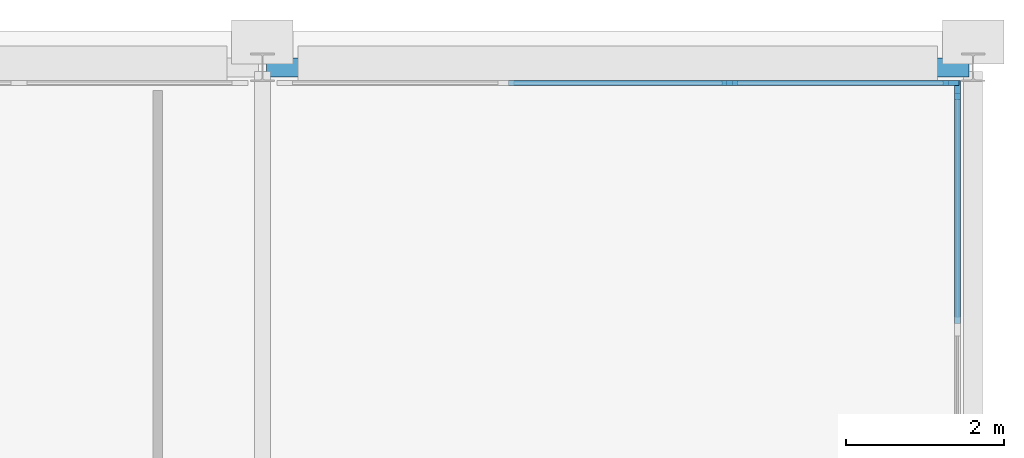
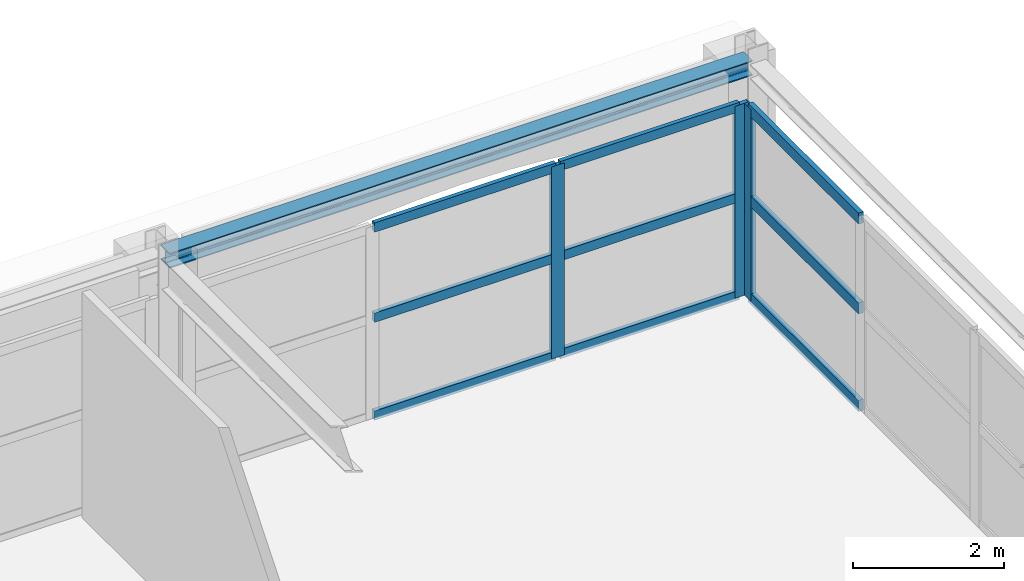
# One storey, part 16 of 25: 12 members, 1 beam, 2 elements without a shape of their own.
"""IFC4 building model written with IfcOpenShell, lengths in metres."""

import ifcopenshell
import ifcopenshell.guid

model = None  # the IFC model being written
_history = None  # IfcOwnerHistory: only IFC2X3 demands one
_inside = {}  # id of a spatial element -> (the spatial element, [elements in it])
_under = {}  # id of a project, library or spatial element -> (it, [spatial elements below it])
_declared = {}  # id of a project -> (the project, [libraries it declares])
_typed = {}  # id of a type object -> (the type object, [elements of that type])
_made_of = {}  # id of a material, layer set ... -> (it, [elements and type objects made of it])


def new_model(schema):
    """Start an empty IFC model of exactly this schema.

    Asked for "IFC4X3", IfcOpenShell would pick the latest addendum, in which some entities
    have other attributes; the version numbers below select the first issue.
    IFC2X3 requires an IfcOwnerHistory on every rooted entity: one is made here for all.
    """
    global model, _history
    if schema == "IFC4X3":
        model = ifcopenshell.file(schema_version=(4, 3, 0, 0))
    else:
        model = ifcopenshell.file(schema=schema)
    _inside.clear()
    _under.clear()
    _declared.clear()
    _typed.clear()
    _made_of.clear()
    _history = None
    if model.schema == "IFC2X3":
        org = make("IfcOrganization", Name="unknown")
        user = make(
            "IfcPersonAndOrganization",
            ThePerson=make("IfcPerson", FamilyName="unknown"),
            TheOrganization=org,
        )
        app = make(
            "IfcApplication",
            ApplicationDeveloper=org,
            Version="unknown",
            ApplicationFullName="unknown",
            ApplicationIdentifier="unknown",
        )
        _history = make(
            "IfcOwnerHistory",
            OwningUser=user,
            OwningApplication=app,
            ChangeAction="ADDED",
            CreationDate=0,
        )
    return model


def make(cls, **values):
    """One entity of the class cls with the attributes given. An attribute that is None is left unset."""
    return model.create_entity(
        cls, **{name: value for name, value in values.items() if value is not None}
    )


def rooted(cls, **values):
    """An entity with a GlobalId (a new one), such as an element, a storey or a relation."""
    return make(cls, GlobalId=ifcopenshell.guid.new(), OwnerHistory=_history, **values)


def si_unit(unit_type, name, prefix=None):
    """IfcSIUnit, for example si_unit("LENGTHUNIT", "METRE", prefix="MILLI")."""
    return make("IfcSIUnit", UnitType=unit_type, Prefix=prefix, Name=name)


def assignment(units):
    """IfcUnitAssignment: the units of a project."""
    return None if units is None else make("IfcUnitAssignment", Units=units)


def point(xyz):
    """IfcCartesianPoint."""
    return None if xyz is None else make("IfcCartesianPoint", Coordinates=xyz)


def direction(xyz):
    """IfcDirection."""
    return None if xyz is None else make("IfcDirection", DirectionRatios=xyz)


def frame(location, z_axis=None, x_axis=None):
    """IfcAxis2Placement3D, a coordinate frame: its origin and axes. An axis left out is left unset."""
    return make(
        "IfcAxis2Placement3D",
        Location=point(location),
        Axis=direction(z_axis),
        RefDirection=direction(x_axis),
    )


def frame_2d(location, x_axis=None):
    """IfcAxis2Placement2D, a coordinate frame in the plane: its origin and x axis."""
    return make(
        "IfcAxis2Placement2D", Location=point(location), RefDirection=direction(x_axis)
    )


def origin():
    """The frame at (0, 0, 0) with its axes left unset."""
    return frame((0.0, 0.0, 0.0))


def origin_2d():
    """The frame at (0, 0) in the plane with its x axis left unset."""
    return frame_2d((0.0, 0.0))


def place(relative_to, where):
    """IfcLocalPlacement: puts the frame where relative to a parent placement (None: the world)."""
    return make(
        "IfcLocalPlacement", PlacementRelTo=relative_to, RelativePlacement=where
    )


def context(
    kind, dimensions, precision=None, world=None, true_north=None, identifier=None
):
    """IfcGeometricRepresentationContext, for example the 3D "Model" context."""
    return make(
        "IfcGeometricRepresentationContext",
        ContextIdentifier=identifier,
        ContextType=kind,
        CoordinateSpaceDimension=dimensions,
        Precision=precision,
        WorldCoordinateSystem=world,
        TrueNorth=true_north,
    )


def subcontext(parent, identifier, kind, view, scale=None):
    """IfcGeometricRepresentationSubContext, for example "Body" below "Model"."""
    return make(
        "IfcGeometricRepresentationSubContext",
        ContextIdentifier=identifier,
        ContextType=kind,
        ParentContext=parent,
        TargetScale=scale,
        TargetView=view,
    )


def project(units=None, contexts=None):
    """IfcProject with its units and contexts."""
    return rooted(
        "IfcProject",
        Name="project",
        RepresentationContexts=contexts,
        UnitsInContext=assignment(units),
    )


def spatial(cls, under=None, at=None, **own):
    """A site, building, storey or space (cls), placed at a placement, below another one or the project."""
    s = rooted(cls, ObjectPlacement=at, **own)
    if under is not None:
        _under.setdefault(under.id(), (under, []))[1].append(s)
    return s


def profile(cls, at=None, kind="AREA", **sizes):
    """A parametric profile (cls). Its sizes go by their IFC names, for example OverallWidth=200.0."""
    return make(cls, ProfileType=kind, Position=at, **sizes)


def rectangle(**sizes):
    """IfcRectangleProfileDef."""
    return profile("IfcRectangleProfileDef", **sizes)


def i_section(**sizes):
    """IfcIShapeProfileDef."""
    return profile("IfcIShapeProfileDef", **sizes)


def extrude(swept, where, along, depth):
    """IfcExtrudedAreaSolid: the profile swept, set in the frame where, extruded along a direction by depth."""
    return make(
        "IfcExtrudedAreaSolid",
        SweptArea=swept,
        Position=where,
        ExtrudedDirection=direction(along),
        Depth=depth,
    )


def shape(context_of_items, identifier, shape_type, items):
    """IfcShapeRepresentation: the items that make up one representation, for example the "Body"."""
    return make(
        "IfcShapeRepresentation",
        ContextOfItems=context_of_items,
        RepresentationIdentifier=identifier,
        RepresentationType=shape_type,
        Items=items,
    )


def material(Name=None, Category=None):
    """IfcMaterial."""
    return make("IfcMaterial", Name=Name, Category=Category)


def layer(
    of_material, thickness, ventilated=None, Name=None, Category=None, Priority=None
):
    """IfcMaterialLayer: one layer of a wall or slab, of a material (None: an air gap)."""
    return make(
        "IfcMaterialLayer",
        Material=of_material,
        LayerThickness=thickness,
        IsVentilated=ventilated,
        Name=Name,
        Category=Category,
        Priority=Priority,
    )


def layer_set(layers, Name=None):
    """IfcMaterialLayerSet."""
    return make("IfcMaterialLayerSet", MaterialLayers=layers, LayerSetName=Name)


def material_profile(
    of_material, cross_section, Name=None, Category=None, Priority=None
):
    """IfcMaterialProfile: a cross section and its material."""
    return make(
        "IfcMaterialProfile",
        Name=Name,
        Material=of_material,
        Profile=cross_section,
        Priority=Priority,
        Category=Category,
    )


def profile_set(profiles, Name=None, composite=None):
    """IfcMaterialProfileSet."""
    return make(
        "IfcMaterialProfileSet",
        Name=Name,
        MaterialProfiles=profiles,
        CompositeProfile=composite,
    )


def made_of(thing, what):
    """Note that an element or type object is made of a material, layer set ...; save() writes the relation."""
    if what is not None:
        _made_of.setdefault(what.id(), (what, []))[1].append(thing)
    return thing


def type_object(cls, material=None, **own):
    """A type object (cls), such as IfcWallType, which elements share."""
    return made_of(rooted(cls, **own), material)


def element(
    cls,
    number,
    at=None,
    inside=None,
    cuts=None,
    type_object=None,
    material=None,
    context=None,
    identifier="Body",
    shape_type=None,
    held_by="IfcProductDefinitionShape",
    body=None,
    shapes=None,
    **own,
):
    """One element of the class cls, such as IfcWall. Its Tag is "e" and its number.

    at: its placement. inside: the storey or other place that contains it. cuts: it is an
    opening in that element (IfcRelVoidsElement). A single representation is given by context,
    identifier, shape_type and body (its items); several are given by shapes. held_by: the class
    of the entity that holds the representations. save() writes the other relations.
    """
    e = rooted(cls, Tag="e%d" % number, ObjectPlacement=at, **own)
    if body is not None:
        shapes = [shape(context, identifier, shape_type, body)]
    if shapes is not None:
        e.Representation = make(held_by, Representations=shapes)
    if inside is not None:
        _inside.setdefault(inside.id(), (inside, []))[1].append(e)
    if cuts is not None:
        rooted(
            "IfcRelVoidsElement", RelatingBuildingElement=cuts, RelatedOpeningElement=e
        )
    if type_object is not None:
        _typed.setdefault(type_object.id(), (type_object, []))[1].append(e)
    return made_of(e, material)


def aggregate(whole, parts):
    """IfcRelAggregates: a whole, such as a stair, and the parts it consists of."""
    return rooted("IfcRelAggregates", RelatingObject=whole, RelatedObjects=parts)


def save(model, path):
    """Write the relations noted so far, then the file.

    IfcRelAggregates (storeys below a building ...), IfcRelContainedInSpatialStructure (elements
    in a storey), IfcRelDefinesByType, IfcRelAssociatesMaterial and IfcRelDeclares: one each for
    every whole, place, type object, material and project.
    """
    for whole, parts in _under.values():
        aggregate(whole, parts)
    for where, things in _inside.values():
        rooted(
            "IfcRelContainedInSpatialStructure",
            RelatedElements=things,
            RelatingStructure=where,
        )
    for kind, things in _typed.values():
        rooted("IfcRelDefinesByType", RelatedObjects=things, RelatingType=kind)
    for what, things in _made_of.values():
        rooted("IfcRelAssociatesMaterial", RelatedObjects=things, RelatingMaterial=what)
    for by, libraries in _declared.values():
        rooted("IfcRelDeclares", RelatingContext=by, RelatedDefinitions=libraries)
    model.write(path)


model = new_model("IFC4")

# Units and contexts
model_context = context("Model", 3, precision=1e-05, world=origin(), true_north=direction((0.0, 1.0)))
body_context = subcontext(model_context, "Body", "Model", "MODEL_VIEW")
ifc_project = project(units=[si_unit("LENGTHUNIT", "METRE"), si_unit("AREAUNIT", "SQUARE_METRE"), si_unit("VOLUMEUNIT", "CUBIC_METRE"), si_unit("PLANEANGLEUNIT", "RADIAN"), si_unit("MASSUNIT", "GRAM", prefix="KILO")], contexts=[model_context])

# Site, building, storey
site_placement = place(None, origin())
site = spatial("IfcSite", under=ifc_project, at=site_placement, CompositionType="ELEMENT")
building_placement = place(site_placement, origin())
building = spatial("IfcBuilding", under=site, at=building_placement, Name="Myrtia Square Station", CompositionType="ELEMENT")
storey_placement = place(building_placement, frame((0.0, 0.0, 18.89990234375)))
storey = spatial("IfcBuildingStorey", under=building, at=storey_placement, Name="L04", CompositionType="ELEMENT", Elevation=18.89990234375)

# Curtain wall, members
ifc_material_1 = material(Name="Dark bronze anodised aluminium", Category="aluminium")
ifc_layer_1 = layer(ifc_material_1, 0.159912109375, Name="Dark bronze anodised aluminium")
ifc_layer_set_1 = layer_set([ifc_layer_1], Name="Dark bronze anodised aluminium")
curtain_wall_type_1 = type_object("IfcCurtainWallType", Name="CW-TYPE-42-850x310", PredefinedType="USERDEFINED", material=ifc_layer_set_1)
curtain_wall_1_placement = place(storey_placement, origin())
curtain_wall_1 = element("IfcCurtainWall", 1, at=curtain_wall_1_placement, inside=storey, type_object=curtain_wall_type_1, Name="Concourse curtain wall CW-L04-149", ObjectType="CONCOURSE CURTAIN WALL", PredefinedType="USERDEFINED")
ifc_material_profile_1 = material_profile(ifc_material_1, rectangle(XDim=0.06494140625, YDim=0.199951171875, at=origin_2d()), Name="ALU-M 65x200")
ifc_profile_set_1 = profile_set([ifc_material_profile_1], Name="Dark bronze anodised aluminium")
member_type_1 = type_object("IfcMemberType", Name="CWM-65x200", PredefinedType="MULLION", material=ifc_profile_set_1)
member_1_placement = place(storey_placement, frame((185.916748046875, 124.60009765625, 0.0), z_axis=(0.0, 0.0, 1.0), x_axis=(0.0, 1.0, 0.0)))
member_1 = element("IfcMember", 2, at=member_1_placement, type_object=member_type_1, Name="CW-149 mullion 3", PredefinedType="MULLION", context=body_context, shape_type="SweptSolid", body=[
    extrude(rectangle(XDim=0.06494140625, YDim=0.199951171875, at=origin_2d()), origin(), (0.0, 0.0, 1.0), 3.10009765625),
])
member_2_placement = place(storey_placement, frame((188.717529296875, 124.60009765625, 0.0), z_axis=(0.0, 0.0, 1.0), x_axis=(0.0, 1.0, 0.0)))
member_2 = element("IfcMember", 3, at=member_2_placement, type_object=member_type_1, Name="CW-149 mullion 4", PredefinedType="MULLION", context=body_context, shape_type="SweptSolid", body=[
    extrude(rectangle(XDim=0.06494140625, YDim=0.199951171875, at=origin_2d()), origin(), (0.0, 0.0, 1.0), 3.10009765625),
])

# Curtain wall, member
ifc_layer_2 = layer(ifc_material_1, 0.159912109375, Name="Dark bronze anodised aluminium")
ifc_layer_set_2 = layer_set([ifc_layer_2], Name="Dark bronze anodised aluminium")
curtain_wall_type_2 = type_object("IfcCurtainWallType", Name="CW-TYPE-46-910x310", PredefinedType="USERDEFINED", material=ifc_layer_set_2)
curtain_wall_2_placement = place(storey_placement, origin())
curtain_wall_2 = element("IfcCurtainWall", 4, at=curtain_wall_2_placement, inside=storey, type_object=curtain_wall_type_2, Name="Concourse curtain wall CW-L04-154", ObjectType="CONCOURSE CURTAIN WALL", PredefinedType="USERDEFINED")
ifc_material_profile_2 = material_profile(ifc_material_1, rectangle(XDim=0.074951171875, YDim=0.239990234375, at=origin_2d()), Name="ALU-M 75x240")
ifc_profile_set_2 = profile_set([ifc_material_profile_2], Name="Dark bronze anodised aluminium")
member_type_2 = type_object("IfcMemberType", Name="CWM-75x240", PredefinedType="MULLION", material=ifc_profile_set_2)
member_3_placement = place(storey_placement, frame((188.800048828125, 124.512451171875, 0.0), z_axis=(0.0, 0.0, 1.0), x_axis=(-1.0, 0.0, 0.0)))
member_3 = element("IfcMember", 5, at=member_3_placement, type_object=member_type_2, Name="CW-154 mullion 4", PredefinedType="MULLION", context=body_context, shape_type="SweptSolid", body=[
    extrude(rectangle(XDim=0.074951171875, YDim=0.239990234375, at=origin_2d()), origin(), (0.0, 0.0, 1.0), 3.10009765625),
])

# Member
ifc_material_profile_3 = material_profile(ifc_material_1, rectangle(XDim=0.06494140625, YDim=0.14990234375, at=origin_2d()), Name="ALU-T 65x150")
ifc_profile_set_3 = profile_set([ifc_material_profile_3], Name="Dark bronze anodised aluminium")
member_type_3 = type_object("IfcMemberType", Name="CWT-65x150", PredefinedType="USERDEFINED", material=ifc_profile_set_3)
member_4_placement = place(storey_placement, frame((183.11572265625, 124.60009765625, 0.03271484375), z_axis=(1.0, 0.0, 0.0), x_axis=(0.0, 1.0, 0.0)))
member_4 = element("IfcMember", 6, at=member_4_placement, type_object=member_type_3, Name="CW-149 transom 2.1", ObjectType="TRANSOM", PredefinedType="USERDEFINED", context=body_context, shape_type="SweptSolid", body=[
    extrude(rectangle(XDim=0.06494140625, YDim=0.14990234375, at=origin_2d()), origin(), (0.0, 0.0, 1.0), 2.7685546875),
])

member_5_placement = place(storey_placement, frame((183.11572265625, 124.60009765625, 1.612060546875), z_axis=(1.0, 0.0, 0.0), x_axis=(0.0, 1.0, 0.0)))
member_5 = element("IfcMember", 7, at=member_5_placement, type_object=member_type_3, Name="CW-149 transom 2.2", ObjectType="TRANSOM", PredefinedType="USERDEFINED", context=body_context, shape_type="SweptSolid", body=[
    extrude(rectangle(XDim=0.06494140625, YDim=0.14990234375, at=origin_2d()), origin(), (0.0, 0.0, 1.0), 2.7685546875),
])

member_6_placement = place(storey_placement, frame((183.11572265625, 124.60009765625, 3.067626953125), z_axis=(1.0, 0.0, 0.0), x_axis=(0.0, 1.0, 0.0)))
member_6 = element("IfcMember", 8, at=member_6_placement, type_object=member_type_3, Name="CW-149 transom 2.3", ObjectType="TRANSOM", PredefinedType="USERDEFINED", context=body_context, shape_type="SweptSolid", body=[
    extrude(rectangle(XDim=0.06494140625, YDim=0.14990234375, at=origin_2d()), origin(), (0.0, 0.0, 1.0), 2.7685546875),
])

member_7_placement = place(storey_placement, frame((185.94921875, 124.60009765625, 0.03271484375), z_axis=(1.0, 0.0, 0.0), x_axis=(0.0, 1.0, 0.0)))
member_7 = element("IfcMember", 9, at=member_7_placement, type_object=member_type_3, Name="CW-149 transom 3.1", ObjectType="TRANSOM", PredefinedType="USERDEFINED", context=body_context, shape_type="SweptSolid", body=[
    extrude(rectangle(XDim=0.06494140625, YDim=0.14990234375, at=origin_2d()), origin(), (0.0, 0.0, 1.0), 2.73583984375),
])

member_8_placement = place(storey_placement, frame((185.94921875, 124.60009765625, 1.612060546875), z_axis=(1.0, 0.0, 0.0), x_axis=(0.0, 1.0, 0.0)))
member_8 = element("IfcMember", 10, at=member_8_placement, type_object=member_type_3, Name="CW-149 transom 3.2", ObjectType="TRANSOM", PredefinedType="USERDEFINED", context=body_context, shape_type="SweptSolid", body=[
    extrude(rectangle(XDim=0.06494140625, YDim=0.14990234375, at=origin_2d()), origin(), (0.0, 0.0, 1.0), 2.73583984375),
])

member_9_placement = place(storey_placement, frame((185.94921875, 124.60009765625, 3.067626953125), z_axis=(1.0, 0.0, 0.0), x_axis=(0.0, 1.0, 0.0)))
member_9 = element("IfcMember", 11, at=member_9_placement, type_object=member_type_3, Name="CW-149 transom 3.3", ObjectType="TRANSOM", PredefinedType="USERDEFINED", context=body_context, shape_type="SweptSolid", body=[
    extrude(rectangle(XDim=0.06494140625, YDim=0.14990234375, at=origin_2d()), origin(), (0.0, 0.0, 1.0), 2.73583984375),
])

aggregate(curtain_wall_1, [member_1, member_2, member_4, member_5, member_6, member_7, member_8, member_9])

ifc_material_profile_4 = material_profile(ifc_material_1, rectangle(XDim=0.074951171875, YDim=0.179931640625, at=origin_2d()), Name="ALU-T 75x180")
ifc_profile_set_4 = profile_set([ifc_material_profile_4], Name="Dark bronze anodised aluminium")
member_type_4 = type_object("IfcMemberType", Name="CWT-75x180", PredefinedType="USERDEFINED", material=ifc_profile_set_4)
member_10_placement = place(storey_placement, frame((188.800048828125, 121.55419921875, 0.03759765625), z_axis=(0.0, 1.0, 0.0), x_axis=(-1.0, 0.0, 0.0)))
member_10 = element("IfcMember", 12, at=member_10_placement, type_object=member_type_4, Name="CW-154 transom 3.1", ObjectType="TRANSOM", PredefinedType="USERDEFINED", context=body_context, shape_type="SweptSolid", body=[
    extrude(rectangle(XDim=0.074951171875, YDim=0.179931640625, at=origin_2d()), origin(), (0.0, 0.0, 1.0), 2.9208984375),
])

member_11_placement = place(storey_placement, frame((188.800048828125, 121.55419921875, 1.612060546875), z_axis=(0.0, 1.0, 0.0), x_axis=(-1.0, 0.0, 0.0)))
member_11 = element("IfcMember", 13, at=member_11_placement, type_object=member_type_4, Name="CW-154 transom 3.2", ObjectType="TRANSOM", PredefinedType="USERDEFINED", context=body_context, shape_type="SweptSolid", body=[
    extrude(rectangle(XDim=0.074951171875, YDim=0.179931640625, at=origin_2d()), origin(), (0.0, 0.0, 1.0), 2.9208984375),
])

member_12_placement = place(storey_placement, frame((188.800048828125, 121.55419921875, 3.0625), z_axis=(0.0, 1.0, 0.0), x_axis=(-1.0, 0.0, 0.0)))
member_12 = element("IfcMember", 14, at=member_12_placement, type_object=member_type_4, Name="CW-154 transom 3.3", ObjectType="TRANSOM", PredefinedType="USERDEFINED", context=body_context, shape_type="SweptSolid", body=[
    extrude(rectangle(XDim=0.074951171875, YDim=0.179931640625, at=origin_2d()), origin(), (0.0, 0.0, 1.0), 2.9208984375),
])

aggregate(curtain_wall_2, [member_3, member_10, member_11, member_12])

# Beam
ifc_material_2 = material(Name="Steel S355", Category="steel")
ifc_material_profile_5 = material_profile(ifc_material_2, i_section(OverallWidth=0.239990234375, OverallDepth=0.239990234375, WebThickness=0.010009765625, FlangeThickness=0.01708984375, FilletRadius=0.02099609375, at=origin_2d()), Name="HEB 240")
ifc_profile_set_5 = profile_set([ifc_material_profile_5], Name="Steel S355")
beam_type = type_object("IfcBeamType", Name="SPN-HEB240", PredefinedType="SPANDREL", material=ifc_profile_set_5)
beam_placement = place(storey_placement, frame((180.050048828125, 124.800048828125, 3.53515625), z_axis=(1.0, 0.0, 0.0), x_axis=(0.0, 1.0, 0.0)))
element("IfcBeam", 15, at=beam_placement, inside=storey, type_object=beam_type, Name="Structural girder SPN-L04-0271", PredefinedType="SPANDREL", context=body_context, shape_type="SweptSolid", body=[
    extrude(i_section(OverallWidth=0.239990234375, OverallDepth=0.239990234375, WebThickness=0.010009765625, FlangeThickness=0.01708984375, FilletRadius=0.02099609375, at=origin_2d()), origin(), (0.0, 0.0, 1.0), 8.89990234375),
])

save(model, "model.ifc")
